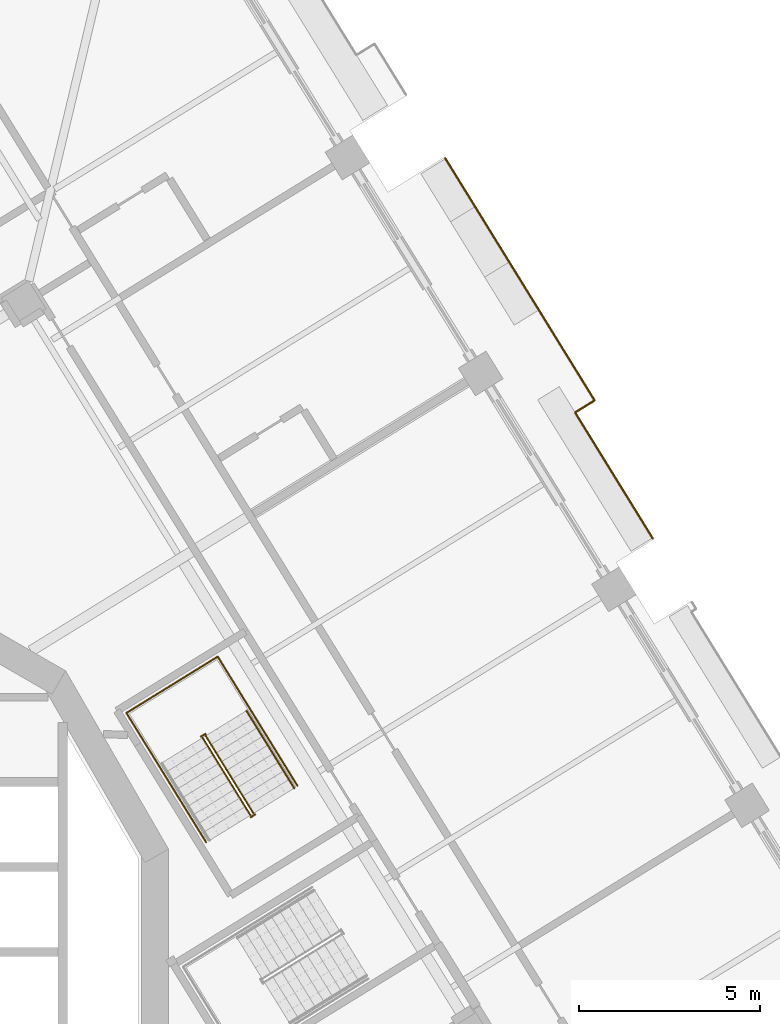
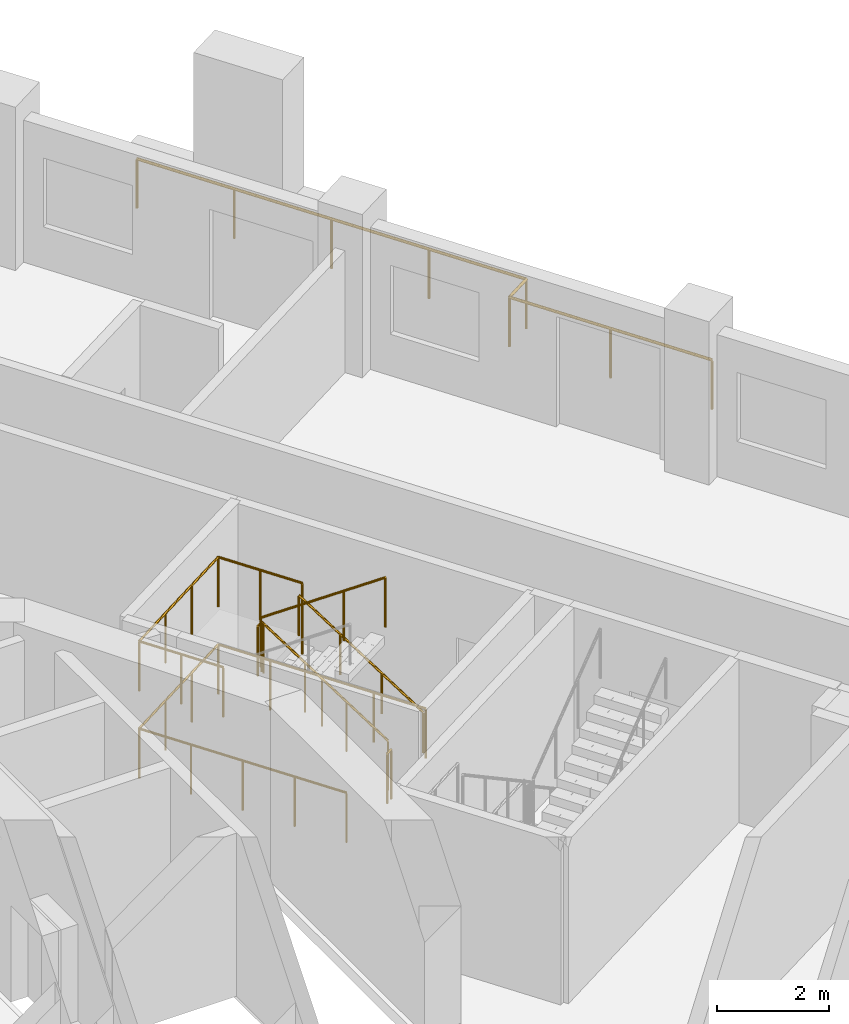
# One storey, part 18 of 20: 8 railings.
"""IFC4 building model written with IfcOpenShell, lengths in metres."""

from ifc_helpers import new_model, si_unit, direction, frame, origin, origin_2d, place, context, subcontext, project, spatial, circle, extrude, material, type_object, element, save


model = new_model("IFC4")

# Units and contexts
model_context = context("Model", 3, precision=1e-05, world=origin(), true_north=direction((0.0, 1.0)))
body_context = subcontext(model_context, "Body", "Model", "MODEL_VIEW")
ifc_project = project(units=[si_unit("LENGTHUNIT", "METRE"), si_unit("AREAUNIT", "SQUARE_METRE"), si_unit("VOLUMEUNIT", "CUBIC_METRE"), si_unit("PLANEANGLEUNIT", "RADIAN"), si_unit("MASSUNIT", "GRAM", prefix="KILO")], contexts=[model_context])

# Site, building, storey
site_placement = place(None, origin())
site = spatial("IfcSite", under=ifc_project, at=site_placement, CompositionType="ELEMENT")
building_placement = place(site_placement, origin())
building = spatial("IfcBuilding", under=site, at=building_placement, Name="Cantera Rosa Tower", CompositionType="ELEMENT")
storey_placement = place(building_placement, frame((0.0, 0.0, 155.199951171875)))
storey = spatial("IfcBuildingStorey", under=building, at=storey_placement, Name="L33", CompositionType="ELEMENT", Elevation=155.199951171875)

# Railings
ifc_material_1 = material(Name="Stainless steel and laminated glass", Category="steel")
railing_type_1 = type_object("IfcRailingType", Name="GUARD 1100", PredefinedType="BALUSTRADE", material=ifc_material_1)
railing_1_placement = place(storey_placement, frame((21.87841796875, 14.926025390625, 0.0)))
element("IfcRailing", 1, at=railing_1_placement, inside=storey, type_object=railing_type_1, Name="GUARD L33-11", PredefinedType="BALUSTRADE", context=body_context, shape_type="SweptSolid", body=[
    extrude(circle(Radius=0.030029296875, at=origin_2d()), frame((0.0, 0.0, 1.070068359375), z_axis=(0.524961354573, -0.851126063639, 0.0), x_axis=(0.851126063639, 0.524961354573, 0.0)), (0.0, 0.0, 1.0), 4.09814453125),
    extrude(circle(Radius=0.02490234375, at=origin_2d()), origin(), (0.0, 0.0, 1.0), 1.0400390625),
    extrude(circle(Radius=0.02490234375, at=origin_2d()), frame((1.07568359375, -1.744140625, 0.0)), (0.0, 0.0, 1.0), 1.0400390625),
    extrude(circle(Radius=0.02490234375, at=origin_2d()), frame((2.1513671875, -3.488037109375, 0.0)), (0.0, 0.0, 1.0), 1.0400390625),
])
railing_2_placement = place(storey_placement, frame((18.281005859375, 21.9677734375, 0.0)))
element("IfcRailing", 2, at=railing_2_placement, inside=storey, type_object=railing_type_1, Name="GUARD L33-12", PredefinedType="BALUSTRADE", context=body_context, shape_type="SweptSolid", body=[
    extrude(circle(Radius=0.030029296875, at=origin_2d()), frame((0.0, 0.0, 1.070068359375), z_axis=(0.524983698437, -0.851112281885, 0.0), x_axis=(0.851112281885, 0.524983698437, 0.0)), (0.0, 0.0, 1.0), 7.882080078125),
    extrude(circle(Radius=0.030029296875, at=origin_2d()), frame((4.137939453125, -6.70849609375, 1.070068359375), z_axis=(-0.85122239687, -0.524805136281, 0.0), x_axis=(0.524805136281, -0.85122239687, 0.0)), (0.0, 0.0, 1.0), 0.635009765625),
    extrude(circle(Radius=0.02490234375, at=origin_2d()), origin(), (0.0, 0.0, 1.0), 1.0400390625),
    extrude(circle(Radius=0.02490234375, at=origin_2d()), frame((1.034423828125, -1.67724609375, 0.0)), (0.0, 0.0, 1.0), 1.0400390625),
    extrude(circle(Radius=0.02490234375, at=origin_2d()), frame((2.06884765625, -3.354248046875, 0.0)), (0.0, 0.0, 1.0), 1.0400390625),
    extrude(circle(Radius=0.02490234375, at=origin_2d()), frame((3.103515625, -5.03125, 0.0)), (0.0, 0.0, 1.0), 1.0400390625),
    extrude(circle(Radius=0.02490234375, at=origin_2d()), frame((4.137939453125, -6.70849609375, 0.0)), (0.0, 0.0, 1.0), 1.0400390625),
    extrude(circle(Radius=0.02490234375, at=origin_2d()), frame((3.597412109375, -7.041748046875, 0.0)), (0.0, 0.0, 1.0), 1.0400390625),
])
ifc_material_2 = material(Name="Steel S355J2 (EN 10025-2)", Category="steel")
railing_type_2 = type_object("IfcRailingType", Name="STAIR GUARD 1100", PredefinedType="GUARDRAIL", material=ifc_material_2)
railing_3_placement = place(storey_placement, frame((12.9765625, 3.834228515625, 0.18994140625)))
element("IfcRailing", 3, at=railing_3_placement, inside=storey, type_object=railing_type_2, Name="L33 ST-31 stair guard 1", PredefinedType="GUARDRAIL", context=body_context, shape_type="SweptSolid", body=[
    extrude(circle(Radius=0.02392578125, at=origin_2d()), frame((0.0, 0.0, 1.076171875), z_axis=(-0.434343018426, 0.704264196543, 0.561567523823), x_axis=(-0.851145618652, -0.524929648476, 0.0)), (0.0, 0.0, 1.0), 3.04541015625),
    extrude(circle(Radius=0.02392578125, at=origin_2d()), frame((-1.32275390625, 2.144775390625, 2.7861328125), z_axis=(-0.073711968402, 0.997279572494, 0.0), x_axis=(-0.997279572494, -0.073711968402, 0.0)), (0.0, 0.0, 1.0), 0.056396484375),
    extrude(circle(Radius=0.02392578125, at=origin_2d()), frame((-1.326904296875, 2.200927734375, 2.7861328125), z_axis=(-0.851546489876, -0.524279100842, 0.0), x_axis=(0.524279100842, -0.851546489876, 0.0)), (0.0, 0.0, 1.0), 0.14990234375),
    extrude(circle(Radius=0.02099609375, at=origin_2d()), origin(), (0.0, 0.0, 1.0), 1.052001953125),
    extrude(circle(Radius=0.02099609375, at=origin_2d()), frame((-0.44091796875, 0.71484375, 0.570068359375)), (0.0, 0.0, 1.0), 1.052001953125),
    extrude(circle(Radius=0.02099609375, at=origin_2d()), frame((-0.8818359375, 1.429931640625, 1.14013671875)), (0.0, 0.0, 1.0), 1.052001953125),
    extrude(circle(Radius=0.02099609375, at=origin_2d()), frame((-1.32275390625, 2.144775390625, 1.710205078125)), (0.0, 0.0, 1.0), 1.052001953125),
    extrude(circle(Radius=0.02099609375, at=origin_2d()), frame((-1.326904296875, 2.200927734375, 1.710205078125)), (0.0, 0.0, 1.0), 1.052001953125),
    extrude(circle(Radius=0.02099609375, at=origin_2d()), frame((-1.45458984375, 2.122314453125, 1.710205078125)), (0.0, 0.0, 1.0), 1.052001953125),
])
railing_4_placement = place(storey_placement, frame((11.5703125, 5.927490234375, 2.090087890625)))
element("IfcRailing", 4, at=railing_4_placement, inside=storey, type_object=railing_type_2, Name="L33 ST-31 stair guard 2", PredefinedType="GUARDRAIL", context=body_context, shape_type="SweptSolid", body=[
    extrude(circle(Radius=0.02392578125, at=origin_2d()), frame((0.0, 0.0, 1.076171875), z_axis=(0.434427613125, -0.704271375033, 0.561493080334), x_axis=(0.851102330005, 0.524999832248, 0.0)), (0.0, 0.0, 1.0), 3.04541015625),
    extrude(circle(Radius=0.02099609375, at=origin_2d()), origin(), (0.0, 0.0, 1.0), 1.052001953125),
    extrude(circle(Radius=0.02099609375, at=origin_2d()), frame((0.44091796875, -0.71484375, 0.570068359375)), (0.0, 0.0, 1.0), 1.052001953125),
    extrude(circle(Radius=0.02099609375, at=origin_2d()), frame((0.882080078125, -1.429931640625, 1.139892578125)), (0.0, 0.0, 1.0), 1.052001953125),
    extrude(circle(Radius=0.02099609375, at=origin_2d()), frame((1.322998046875, -2.144775390625, 1.7099609375)), (0.0, 0.0, 1.0), 1.052001953125),
])
railing_5_placement = place(storey_placement, frame((13.025146484375, 3.80517578125, 0.0)))
element("IfcRailing", 5, at=railing_5_placement, inside=storey, type_object=railing_type_2, Name="L33 ST-31 stair guard 3", PredefinedType="GUARDRAIL", context=body_context, shape_type="SweptSolid", body=[
    extrude(circle(Radius=0.02392578125, at=origin_2d()), frame((0.0, 0.0, 1.076171875), z_axis=(-0.851546489876, -0.524279100842, 0.0), x_axis=(0.524279100842, -0.851546489876, 0.0)), (0.0, 0.0, 1.0), 0.14990234375),
    extrude(circle(Radius=0.02099609375, at=origin_2d()), origin(), (0.0, 0.0, 1.0), 1.052001953125),
    extrude(circle(Radius=0.02099609375, at=origin_2d()), frame((-0.127685546875, -0.07861328125, 0.0)), (0.0, 0.0, 1.0), 1.052001953125),
])
railing_6_placement = place(storey_placement, frame((14.192626953125, 4.59814453125, 0.0)))
element("IfcRailing", 6, at=railing_6_placement, inside=storey, type_object=railing_type_2, Name="L33 ST-31 stair guard 4", PredefinedType="GUARDRAIL", context=body_context, shape_type="SweptSolid", body=[
    extrude(circle(Radius=0.02392578125, at=origin_2d()), frame((0.0, 0.0, 1.076171875), z_axis=(-0.524976478809, 0.851116735059, 0.0), x_axis=(-0.851116735059, -0.524976478809, 0.0)), (0.0, 0.0, 1.0), 4.197998046875),
    extrude(circle(Radius=0.02392578125, at=origin_2d()), frame((-2.203857421875, 3.572998046875, 1.076171875), z_axis=(-0.851132917336, -0.524950242429, 0.0), x_axis=(0.524950242429, -0.851132917336, 0.0)), (0.0, 0.0, 1.0), 2.969970703125),
    extrude(circle(Radius=0.02392578125, at=origin_2d()), frame((-4.731689453125, 2.013916015625, 1.076171875), z_axis=(0.524976478809, -0.851116735059, 0.0), x_axis=(0.851116735059, 0.524976478809, 0.0)), (0.0, 0.0, 1.0), 4.197998046875),
    extrude(circle(Radius=0.02099609375, at=origin_2d()), origin(), (0.0, 0.0, 1.0), 1.052001953125),
    extrude(circle(Radius=0.02099609375, at=origin_2d()), frame((-0.551025390625, 0.893310546875, 0.0)), (0.0, 0.0, 1.0), 1.052001953125),
    extrude(circle(Radius=0.02099609375, at=origin_2d()), frame((-1.10205078125, 1.78662109375, 0.0)), (0.0, 0.0, 1.0), 1.052001953125),
    extrude(circle(Radius=0.02099609375, at=origin_2d()), frame((-1.65283203125, 2.6796875, 0.0)), (0.0, 0.0, 1.0), 1.052001953125),
    extrude(circle(Radius=0.02099609375, at=origin_2d()), frame((-2.203857421875, 3.572998046875, 0.0)), (0.0, 0.0, 1.0), 1.052001953125),
    extrude(circle(Radius=0.02099609375, at=origin_2d()), frame((-3.04638671875, 3.05322265625, 0.0)), (0.0, 0.0, 1.0), 1.052001953125),
    extrude(circle(Radius=0.02099609375, at=origin_2d()), frame((-3.88916015625, 2.53369140625, 0.0)), (0.0, 0.0, 1.0), 1.052001953125),
    extrude(circle(Radius=0.02099609375, at=origin_2d()), frame((-4.731689453125, 2.013916015625, 0.0)), (0.0, 0.0, 1.0), 1.052001953125),
    extrude(circle(Radius=0.02099609375, at=origin_2d()), frame((-4.1806640625, 1.12060546875, 0.0)), (0.0, 0.0, 1.0), 1.052001953125),
    extrude(circle(Radius=0.02099609375, at=origin_2d()), frame((-3.6298828125, 0.2275390625, 0.0)), (0.0, 0.0, 1.0), 1.052001953125),
    extrude(circle(Radius=0.02099609375, at=origin_2d()), frame((-3.078857421875, -0.665771484375, 0.0)), (0.0, 0.0, 1.0), 1.052001953125),
    extrude(circle(Radius=0.02099609375, at=origin_2d()), frame((-2.52783203125, -1.55908203125, 0.0)), (0.0, 0.0, 1.0), 1.052001953125),
])
railing_7_placement = place(storey_placement, frame((12.88232421875, 6.72265625, 1.900146484375)))
element("IfcRailing", 7, at=railing_7_placement, inside=storey, type_object=railing_type_2, Name="L33 ST-31 stair guard 5", PredefinedType="GUARDRAIL", context=body_context, shape_type="SweptSolid", body=[
    extrude(circle(Radius=0.02392578125, at=origin_2d()), frame((0.0, 0.0, 1.076171875), z_axis=(-0.525025534833, 0.851086474909, 0.0), x_axis=(-0.851086474909, -0.525025534833, 0.0)), (0.0, 0.0, 1.0), 1.701904296875),
    extrude(circle(Radius=0.02392578125, at=origin_2d()), frame((-0.8935546875, 1.448486328125, 1.076171875), z_axis=(-0.851132917336, -0.524950242429, 0.0), x_axis=(0.524950242429, -0.851132917336, 0.0)), (0.0, 0.0, 1.0), 2.969970703125),
    extrude(circle(Radius=0.02392578125, at=origin_2d()), frame((-3.42138671875, -0.110595703125, 1.076171875), z_axis=(0.524961441845, -0.851126009811, 0.0), x_axis=(0.851126009811, 0.524961441845, 0.0)), (0.0, 0.0, 1.0), 1.7021484375),
    extrude(circle(Radius=0.02099609375, at=origin_2d()), origin(), (0.0, 0.0, 1.0), 1.052001953125),
    extrude(circle(Radius=0.02099609375, at=origin_2d()), frame((-0.44677734375, 0.72412109375, 0.0)), (0.0, 0.0, 1.0), 1.052001953125),
    extrude(circle(Radius=0.02099609375, at=origin_2d()), frame((-0.8935546875, 1.448486328125, 0.0)), (0.0, 0.0, 1.0), 1.052001953125),
    extrude(circle(Radius=0.02099609375, at=origin_2d()), frame((-1.736083984375, 0.9287109375, 0.0)), (0.0, 0.0, 1.0), 1.052001953125),
    extrude(circle(Radius=0.02099609375, at=origin_2d()), frame((-2.578857421875, 0.4091796875, 0.0)), (0.0, 0.0, 1.0), 1.052001953125),
    extrude(circle(Radius=0.02099609375, at=origin_2d()), frame((-3.42138671875, -0.110595703125, 0.0)), (0.0, 0.0, 1.0), 1.052001953125),
    extrude(circle(Radius=0.02099609375, at=origin_2d()), frame((-2.974609375, -0.8349609375, 0.0)), (0.0, 0.0, 1.0), 1.052001953125),
    extrude(circle(Radius=0.02099609375, at=origin_2d()), frame((-2.52783203125, -1.559326171875, 0.0)), (0.0, 0.0, 1.0), 1.052001953125),
])
ifc_material_3 = material(Name="Steel S355J2 (EN 10025-2)", Category="steel")
railing_type_3 = type_object("IfcRailingType", Name="STAIR HANDRAIL 900", PredefinedType="HANDRAIL", material=ifc_material_3)
railing_8_placement = place(storey_placement, frame((14.105224609375, 4.5302734375, 0.18994140625)))
element("IfcRailing", 8, at=railing_8_placement, inside=storey, type_object=railing_type_3, Name="L33 ST-31 stair handrail 1", PredefinedType="HANDRAIL", context=body_context, shape_type="SweptSolid", body=[
    extrude(circle(Radius=0.02392578125, at=origin_2d()), frame((0.0, 0.0, 0.8759765625), z_axis=(-0.434408057947, 0.704239673199, 0.561547969352), x_axis=(-0.851102330005, -0.524999832248, 0.0)), (0.0, 0.0, 1.0), 3.04541015625),
    extrude(circle(Radius=0.02099609375, at=origin_2d()), origin(), (0.0, 0.0, 1.0), 0.851806640625),
    extrude(circle(Radius=0.02099609375, at=origin_2d()), frame((-0.44091796875, 0.71484375, 0.570068359375)), (0.0, 0.0, 1.0), 0.851806640625),
    extrude(circle(Radius=0.02099609375, at=origin_2d()), frame((-0.882080078125, 1.429931640625, 1.14013671875)), (0.0, 0.0, 1.0), 0.851806640625),
    extrude(circle(Radius=0.02099609375, at=origin_2d()), frame((-1.322998046875, 2.144775390625, 1.710205078125)), (0.0, 0.0, 1.0), 0.851806640625),
])

save(model, "model.ifc")
